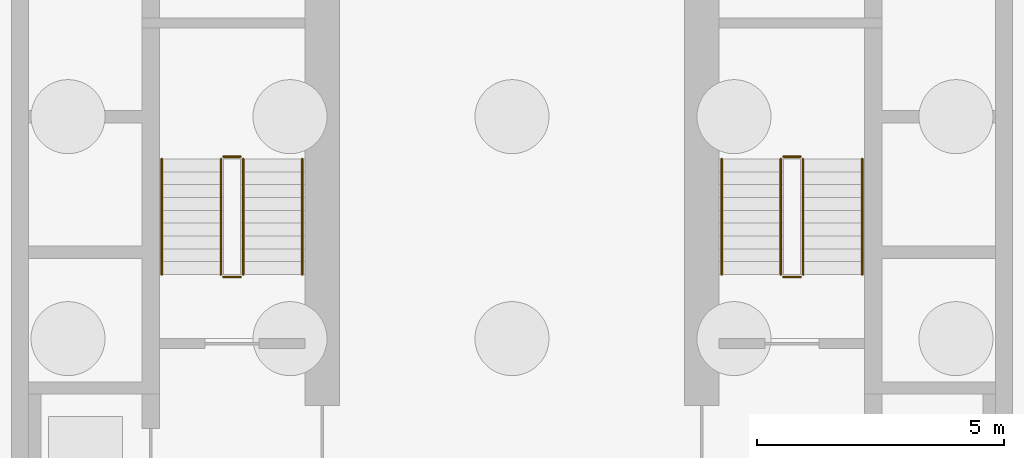
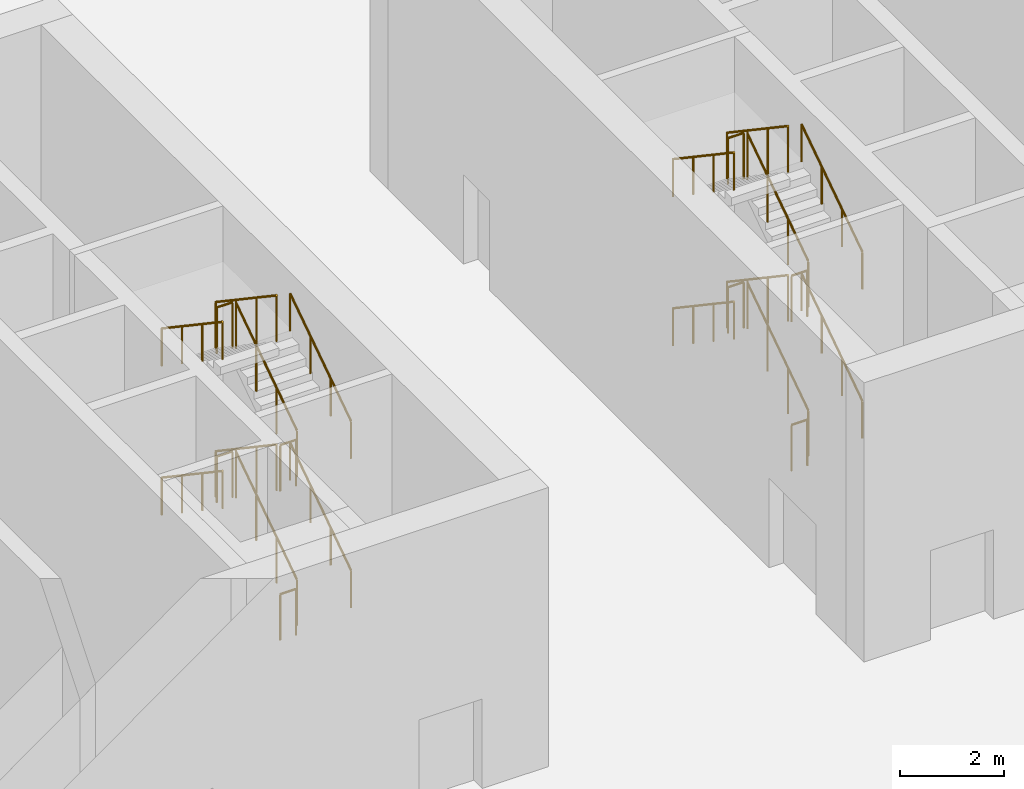
# One storey, part 12 of 13: 24 railings.
"""IFC4 building model written with IfcOpenShell, lengths in metres."""

from ifc_helpers import new_model, si_unit, direction, frame, origin, origin_2d, place, context, subcontext, project, spatial, circle, extrude, material, type_object, element, save


model = new_model("IFC4")

# Units and contexts
model_context = context("Model", 3, precision=1e-05, world=origin(), true_north=direction((0.0, 1.0)))
body_context = subcontext(model_context, "Body", "Model", "MODEL_VIEW")
ifc_project = project(units=[si_unit("LENGTHUNIT", "METRE"), si_unit("AREAUNIT", "SQUARE_METRE"), si_unit("VOLUMEUNIT", "CUBIC_METRE"), si_unit("PLANEANGLEUNIT", "RADIAN"), si_unit("MASSUNIT", "GRAM", prefix="KILO")], contexts=[model_context])

# Site, building, storey
site_placement = place(None, origin())
site = spatial("IfcSite", under=ifc_project, at=site_placement, CompositionType="ELEMENT")
building_placement = place(site_placement, origin())
building = spatial("IfcBuilding", under=site, at=building_placement, Name="Tamarind Cross Interchange Tower", CompositionType="ELEMENT")
storey_placement = place(building_placement, frame((0.0, 0.0, -21.0)))
storey = spatial("IfcBuildingStorey", under=building, at=storey_placement, Name="B3", CompositionType="ELEMENT", Elevation=-21.0)

# Railings
ifc_material_1 = material(Name="Stair guard")
railing_type_1 = type_object("IfcRailingType", Name="Stair guard", PredefinedType="GUARDRAIL", material=ifc_material_1)
railing_1_placement = place(storey_placement, frame((-5.449951171875, -3.199951171875, 0.175048828125)))
element("IfcRailing", 1, at=railing_1_placement, inside=storey, type_object=railing_type_1, Name="B3 ST1 stair guard 1", PredefinedType="GUARDRAIL", context=body_context, shape_type="SweptSolid", body=[
    extrude(circle(Radius=0.02392578125, at=origin_2d()), frame((0.0, 0.0, 1.076171875), z_axis=(0.0, 0.829578494604, 0.558390115681), x_axis=(-1.0, 0.0, 0.0)), (0.0, 0.0, 1.0), 2.820556640625),
    extrude(circle(Radius=0.02099609375, at=origin_2d()), origin(), (0.0, 0.0, 1.0), 1.052001953125),
    extrude(circle(Radius=0.02099609375, at=origin_2d()), frame((0.0, 0.780029296875, 0.52490234375)), (0.0, 0.0, 1.0), 1.052001953125),
    extrude(circle(Radius=0.02099609375, at=origin_2d()), frame((0.0, 1.559814453125, 1.050048828125)), (0.0, 0.0, 1.0), 1.052001953125),
    extrude(circle(Radius=0.02099609375, at=origin_2d()), frame((0.0, 2.33984375, 1.574951171875)), (0.0, 0.0, 1.0), 1.052001953125),
])
railing_2_placement = place(storey_placement, frame((-5.5, -0.81005859375, 1.75)))
element("IfcRailing", 2, at=railing_2_placement, inside=storey, type_object=railing_type_1, Name="B3 ST1 stair guard 2", PredefinedType="GUARDRAIL", context=body_context, shape_type="SweptSolid", body=[
    extrude(circle(Radius=0.02392578125, at=origin_2d()), frame((0.0, 0.0, 1.076171875), z_axis=(-1.0, 0.0, 0.0), x_axis=(0.0, -1.0, 0.0)), (0.0, 0.0, 1.0), 0.35009765625),
    extrude(circle(Radius=0.02099609375, at=origin_2d()), origin(), (0.0, 0.0, 1.0), 1.052001953125),
    extrude(circle(Radius=0.02099609375, at=origin_2d()), frame((-0.35009765625, 0.0, 0.0)), (0.0, 0.0, 1.0), 1.052001953125),
])
railing_3_placement = place(storey_placement, frame((-5.89990234375, -0.860107421875, 1.925048828125)))
element("IfcRailing", 3, at=railing_3_placement, inside=storey, type_object=railing_type_1, Name="B3 ST1 stair guard 3", PredefinedType="GUARDRAIL", context=body_context, shape_type="SweptSolid", body=[
    extrude(circle(Radius=0.02392578125, at=origin_2d()), frame((0.0, 0.0, 1.076171875), z_axis=(0.0, -0.829578494604, 0.558390115681), x_axis=(1.0, 0.0, 0.0)), (0.0, 0.0, 1.0), 2.820556640625),
    extrude(circle(Radius=0.02099609375, at=origin_2d()), origin(), (0.0, 0.0, 1.0), 1.052001953125),
    extrude(circle(Radius=0.02099609375, at=origin_2d()), frame((0.0, -0.780029296875, 0.52490234375)), (0.0, 0.0, 1.0), 1.052001953125),
    extrude(circle(Radius=0.02099609375, at=origin_2d()), frame((0.0, -1.559814453125, 1.050048828125)), (0.0, 0.0, 1.0), 1.052001953125),
    extrude(circle(Radius=0.02099609375, at=origin_2d()), frame((0.0, -2.33984375, 1.574951171875)), (0.0, 0.0, 1.0), 1.052001953125),
])
railing_4_placement = place(storey_placement, frame((-5.5, -3.25, 3.5)))
element("IfcRailing", 4, at=railing_4_placement, inside=storey, type_object=railing_type_1, Name="B3 ST1 stair guard 4", PredefinedType="GUARDRAIL", context=body_context, shape_type="SweptSolid", body=[
    extrude(circle(Radius=0.02392578125, at=origin_2d()), frame((0.0, 0.0, 1.076171875), z_axis=(-1.0, 0.0, 0.0), x_axis=(0.0, -1.0, 0.0)), (0.0, 0.0, 1.0), 0.35009765625),
    extrude(circle(Radius=0.02099609375, at=origin_2d()), origin(), (0.0, 0.0, 1.0), 1.052001953125),
    extrude(circle(Radius=0.02099609375, at=origin_2d()), frame((-0.35009765625, 0.0, 0.0)), (0.0, 0.0, 1.0), 1.052001953125),
])
railing_5_placement = place(storey_placement, frame((-5.449951171875, -3.199951171875, 3.675048828125)))
element("IfcRailing", 5, at=railing_5_placement, inside=storey, type_object=railing_type_1, Name="B3 ST1 stair guard 5", PredefinedType="GUARDRAIL", context=body_context, shape_type="SweptSolid", body=[
    extrude(circle(Radius=0.02392578125, at=origin_2d()), frame((0.0, 0.0, 1.076171875), z_axis=(0.0, 0.829578494604, 0.558390115681), x_axis=(-1.0, 0.0, 0.0)), (0.0, 0.0, 1.0), 2.820556640625),
    extrude(circle(Radius=0.02099609375, at=origin_2d()), origin(), (0.0, 0.0, 1.0), 1.052001953125),
    extrude(circle(Radius=0.02099609375, at=origin_2d()), frame((0.0, 0.780029296875, 0.52490234375)), (0.0, 0.0, 1.0), 1.052001953125),
    extrude(circle(Radius=0.02099609375, at=origin_2d()), frame((0.0, 1.559814453125, 1.050048828125)), (0.0, 0.0, 1.0), 1.052001953125),
    extrude(circle(Radius=0.02099609375, at=origin_2d()), frame((0.0, 2.33984375, 1.574951171875)), (0.0, 0.0, 1.0), 1.052001953125),
])
railing_6_placement = place(storey_placement, frame((-5.5, -0.81005859375, 5.25)))
element("IfcRailing", 6, at=railing_6_placement, inside=storey, type_object=railing_type_1, Name="B3 ST1 stair guard 6", PredefinedType="GUARDRAIL", context=body_context, shape_type="SweptSolid", body=[
    extrude(circle(Radius=0.02392578125, at=origin_2d()), frame((0.0, 0.0, 1.076171875), z_axis=(-1.0, 0.0, 0.0), x_axis=(0.0, -1.0, 0.0)), (0.0, 0.0, 1.0), 0.35009765625),
    extrude(circle(Radius=0.02099609375, at=origin_2d()), origin(), (0.0, 0.0, 1.0), 1.052001953125),
    extrude(circle(Radius=0.02099609375, at=origin_2d()), frame((-0.35009765625, 0.0, 0.0)), (0.0, 0.0, 1.0), 1.052001953125),
])
railing_7_placement = place(storey_placement, frame((-5.89990234375, -0.860107421875, 5.425048828125)))
element("IfcRailing", 7, at=railing_7_placement, inside=storey, type_object=railing_type_1, Name="B3 ST1 stair guard 7", PredefinedType="GUARDRAIL", context=body_context, shape_type="SweptSolid", body=[
    extrude(circle(Radius=0.02392578125, at=origin_2d()), frame((0.0, 0.0, 1.076171875), z_axis=(0.0, -0.829578494604, 0.558390115681), x_axis=(1.0, 0.0, 0.0)), (0.0, 0.0, 1.0), 2.820556640625),
    extrude(circle(Radius=0.02099609375, at=origin_2d()), origin(), (0.0, 0.0, 1.0), 1.052001953125),
    extrude(circle(Radius=0.02099609375, at=origin_2d()), frame((0.0, -0.780029296875, 0.52490234375)), (0.0, 0.0, 1.0), 1.052001953125),
    extrude(circle(Radius=0.02099609375, at=origin_2d()), frame((0.0, -1.559814453125, 1.050048828125)), (0.0, 0.0, 1.0), 1.052001953125),
    extrude(circle(Radius=0.02099609375, at=origin_2d()), frame((0.0, -2.33984375, 1.574951171875)), (0.0, 0.0, 1.0), 1.052001953125),
])
railing_8_placement = place(storey_placement, frame((-5.5, -3.25, 0.0)))
element("IfcRailing", 8, at=railing_8_placement, inside=storey, type_object=railing_type_1, Name="B3 ST1 stair guard 8", PredefinedType="GUARDRAIL", context=body_context, shape_type="SweptSolid", body=[
    extrude(circle(Radius=0.02392578125, at=origin_2d()), frame((0.0, 0.0, 1.076171875), z_axis=(-1.0, 0.0, 0.0), x_axis=(0.0, -1.0, 0.0)), (0.0, 0.0, 1.0), 0.35009765625),
    extrude(circle(Radius=0.02099609375, at=origin_2d()), origin(), (0.0, 0.0, 1.0), 1.052001953125),
    extrude(circle(Radius=0.02099609375, at=origin_2d()), frame((-0.35009765625, 0.0, 0.0)), (0.0, 0.0, 1.0), 1.052001953125),
])
railing_9_placement = place(storey_placement, frame((5.89990234375, -3.199951171875, 0.175048828125)))
element("IfcRailing", 9, at=railing_9_placement, inside=storey, type_object=railing_type_1, Name="B3 ST2 stair guard 1", PredefinedType="GUARDRAIL", context=body_context, shape_type="SweptSolid", body=[
    extrude(circle(Radius=0.02392578125, at=origin_2d()), frame((0.0, 0.0, 1.076171875), z_axis=(0.0, 0.829578494604, 0.558390115681), x_axis=(-1.0, 0.0, 0.0)), (0.0, 0.0, 1.0), 2.820556640625),
    extrude(circle(Radius=0.02099609375, at=origin_2d()), origin(), (0.0, 0.0, 1.0), 1.052001953125),
    extrude(circle(Radius=0.02099609375, at=origin_2d()), frame((0.0, 0.780029296875, 0.52490234375)), (0.0, 0.0, 1.0), 1.052001953125),
    extrude(circle(Radius=0.02099609375, at=origin_2d()), frame((0.0, 1.559814453125, 1.050048828125)), (0.0, 0.0, 1.0), 1.052001953125),
    extrude(circle(Radius=0.02099609375, at=origin_2d()), frame((0.0, 2.33984375, 1.574951171875)), (0.0, 0.0, 1.0), 1.052001953125),
])
railing_10_placement = place(storey_placement, frame((5.85009765625, -0.81005859375, 1.75)))
element("IfcRailing", 10, at=railing_10_placement, inside=storey, type_object=railing_type_1, Name="B3 ST2 stair guard 2", PredefinedType="GUARDRAIL", context=body_context, shape_type="SweptSolid", body=[
    extrude(circle(Radius=0.02392578125, at=origin_2d()), frame((0.0, 0.0, 1.076171875), z_axis=(-1.0, 0.0, 0.0), x_axis=(0.0, -1.0, 0.0)), (0.0, 0.0, 1.0), 0.35009765625),
    extrude(circle(Radius=0.02099609375, at=origin_2d()), origin(), (0.0, 0.0, 1.0), 1.052001953125),
    extrude(circle(Radius=0.02099609375, at=origin_2d()), frame((-0.35009765625, 0.0, 0.0)), (0.0, 0.0, 1.0), 1.052001953125),
])
railing_11_placement = place(storey_placement, frame((5.449951171875, -0.860107421875, 1.925048828125)))
element("IfcRailing", 11, at=railing_11_placement, inside=storey, type_object=railing_type_1, Name="B3 ST2 stair guard 3", PredefinedType="GUARDRAIL", context=body_context, shape_type="SweptSolid", body=[
    extrude(circle(Radius=0.02392578125, at=origin_2d()), frame((0.0, 0.0, 1.076171875), z_axis=(0.0, -0.829578494604, 0.558390115681), x_axis=(1.0, 0.0, 0.0)), (0.0, 0.0, 1.0), 2.820556640625),
    extrude(circle(Radius=0.02099609375, at=origin_2d()), origin(), (0.0, 0.0, 1.0), 1.052001953125),
    extrude(circle(Radius=0.02099609375, at=origin_2d()), frame((0.0, -0.780029296875, 0.52490234375)), (0.0, 0.0, 1.0), 1.052001953125),
    extrude(circle(Radius=0.02099609375, at=origin_2d()), frame((0.0, -1.559814453125, 1.050048828125)), (0.0, 0.0, 1.0), 1.052001953125),
    extrude(circle(Radius=0.02099609375, at=origin_2d()), frame((0.0, -2.33984375, 1.574951171875)), (0.0, 0.0, 1.0), 1.052001953125),
])
railing_12_placement = place(storey_placement, frame((5.85009765625, -3.25, 3.5)))
element("IfcRailing", 12, at=railing_12_placement, inside=storey, type_object=railing_type_1, Name="B3 ST2 stair guard 4", PredefinedType="GUARDRAIL", context=body_context, shape_type="SweptSolid", body=[
    extrude(circle(Radius=0.02392578125, at=origin_2d()), frame((0.0, 0.0, 1.076171875), z_axis=(-1.0, 0.0, 0.0), x_axis=(0.0, -1.0, 0.0)), (0.0, 0.0, 1.0), 0.35009765625),
    extrude(circle(Radius=0.02099609375, at=origin_2d()), origin(), (0.0, 0.0, 1.0), 1.052001953125),
    extrude(circle(Radius=0.02099609375, at=origin_2d()), frame((-0.35009765625, 0.0, 0.0)), (0.0, 0.0, 1.0), 1.052001953125),
])
railing_13_placement = place(storey_placement, frame((5.89990234375, -3.199951171875, 3.675048828125)))
element("IfcRailing", 13, at=railing_13_placement, inside=storey, type_object=railing_type_1, Name="B3 ST2 stair guard 5", PredefinedType="GUARDRAIL", context=body_context, shape_type="SweptSolid", body=[
    extrude(circle(Radius=0.02392578125, at=origin_2d()), frame((0.0, 0.0, 1.076171875), z_axis=(0.0, 0.829578494604, 0.558390115681), x_axis=(-1.0, 0.0, 0.0)), (0.0, 0.0, 1.0), 2.820556640625),
    extrude(circle(Radius=0.02099609375, at=origin_2d()), origin(), (0.0, 0.0, 1.0), 1.052001953125),
    extrude(circle(Radius=0.02099609375, at=origin_2d()), frame((0.0, 0.780029296875, 0.52490234375)), (0.0, 0.0, 1.0), 1.052001953125),
    extrude(circle(Radius=0.02099609375, at=origin_2d()), frame((0.0, 1.559814453125, 1.050048828125)), (0.0, 0.0, 1.0), 1.052001953125),
    extrude(circle(Radius=0.02099609375, at=origin_2d()), frame((0.0, 2.33984375, 1.574951171875)), (0.0, 0.0, 1.0), 1.052001953125),
])
railing_14_placement = place(storey_placement, frame((5.85009765625, -0.81005859375, 5.25)))
element("IfcRailing", 14, at=railing_14_placement, inside=storey, type_object=railing_type_1, Name="B3 ST2 stair guard 6", PredefinedType="GUARDRAIL", context=body_context, shape_type="SweptSolid", body=[
    extrude(circle(Radius=0.02392578125, at=origin_2d()), frame((0.0, 0.0, 1.076171875), z_axis=(-1.0, 0.0, 0.0), x_axis=(0.0, -1.0, 0.0)), (0.0, 0.0, 1.0), 0.35009765625),
    extrude(circle(Radius=0.02099609375, at=origin_2d()), origin(), (0.0, 0.0, 1.0), 1.052001953125),
    extrude(circle(Radius=0.02099609375, at=origin_2d()), frame((-0.35009765625, 0.0, 0.0)), (0.0, 0.0, 1.0), 1.052001953125),
])
railing_15_placement = place(storey_placement, frame((5.449951171875, -0.860107421875, 5.425048828125)))
element("IfcRailing", 15, at=railing_15_placement, inside=storey, type_object=railing_type_1, Name="B3 ST2 stair guard 7", PredefinedType="GUARDRAIL", context=body_context, shape_type="SweptSolid", body=[
    extrude(circle(Radius=0.02392578125, at=origin_2d()), frame((0.0, 0.0, 1.076171875), z_axis=(0.0, -0.829578494604, 0.558390115681), x_axis=(1.0, 0.0, 0.0)), (0.0, 0.0, 1.0), 2.820556640625),
    extrude(circle(Radius=0.02099609375, at=origin_2d()), origin(), (0.0, 0.0, 1.0), 1.052001953125),
    extrude(circle(Radius=0.02099609375, at=origin_2d()), frame((0.0, -0.780029296875, 0.52490234375)), (0.0, 0.0, 1.0), 1.052001953125),
    extrude(circle(Radius=0.02099609375, at=origin_2d()), frame((0.0, -1.559814453125, 1.050048828125)), (0.0, 0.0, 1.0), 1.052001953125),
    extrude(circle(Radius=0.02099609375, at=origin_2d()), frame((0.0, -2.33984375, 1.574951171875)), (0.0, 0.0, 1.0), 1.052001953125),
])
railing_16_placement = place(storey_placement, frame((5.85009765625, -3.25, 0.0)))
element("IfcRailing", 16, at=railing_16_placement, inside=storey, type_object=railing_type_1, Name="B3 ST2 stair guard 8", PredefinedType="GUARDRAIL", context=body_context, shape_type="SweptSolid", body=[
    extrude(circle(Radius=0.02392578125, at=origin_2d()), frame((0.0, 0.0, 1.076171875), z_axis=(-1.0, 0.0, 0.0), x_axis=(0.0, -1.0, 0.0)), (0.0, 0.0, 1.0), 0.35009765625),
    extrude(circle(Radius=0.02099609375, at=origin_2d()), origin(), (0.0, 0.0, 1.0), 1.052001953125),
    extrude(circle(Radius=0.02099609375, at=origin_2d()), frame((-0.35009765625, 0.0, 0.0)), (0.0, 0.0, 1.0), 1.052001953125),
])
ifc_material_2 = material(Name="Stair handrail")
railing_type_2 = type_object("IfcRailingType", Name="Stair handrail", PredefinedType="HANDRAIL", material=ifc_material_2)
railing_17_placement = place(storey_placement, frame((-4.25, -3.199951171875, 0.175048828125)))
element("IfcRailing", 17, at=railing_17_placement, inside=storey, type_object=railing_type_2, Name="B3 ST1 stair handrail 1", PredefinedType="HANDRAIL", context=body_context, shape_type="SweptSolid", body=[
    extrude(circle(Radius=0.02392578125, at=origin_2d()), frame((0.0, 0.0, 0.8759765625), z_axis=(0.0, 0.829578494604, 0.558390115681), x_axis=(-1.0, 0.0, 0.0)), (0.0, 0.0, 1.0), 2.820556640625),
    extrude(circle(Radius=0.02099609375, at=origin_2d()), origin(), (0.0, 0.0, 1.0), 0.851806640625),
    extrude(circle(Radius=0.02099609375, at=origin_2d()), frame((0.0, 0.780029296875, 0.52490234375)), (0.0, 0.0, 1.0), 0.851806640625),
    extrude(circle(Radius=0.02099609375, at=origin_2d()), frame((0.0, 1.559814453125, 1.050048828125)), (0.0, 0.0, 1.0), 0.851806640625),
    extrude(circle(Radius=0.02099609375, at=origin_2d()), frame((0.0, 2.33984375, 1.574951171875)), (0.0, 0.0, 1.0), 0.851806640625),
])
railing_18_placement = place(storey_placement, frame((-7.10009765625, -0.860107421875, 1.925048828125)))
element("IfcRailing", 18, at=railing_18_placement, inside=storey, type_object=railing_type_2, Name="B3 ST1 stair handrail 2", PredefinedType="HANDRAIL", context=body_context, shape_type="SweptSolid", body=[
    extrude(circle(Radius=0.02392578125, at=origin_2d()), frame((0.0, 0.0, 0.8759765625), z_axis=(0.0, -0.829578494604, 0.558390115681), x_axis=(1.0, 0.0, 0.0)), (0.0, 0.0, 1.0), 2.820556640625),
    extrude(circle(Radius=0.02099609375, at=origin_2d()), origin(), (0.0, 0.0, 1.0), 0.851806640625),
    extrude(circle(Radius=0.02099609375, at=origin_2d()), frame((0.0, -0.780029296875, 0.52490234375)), (0.0, 0.0, 1.0), 0.851806640625),
    extrude(circle(Radius=0.02099609375, at=origin_2d()), frame((0.0, -1.559814453125, 1.050048828125)), (0.0, 0.0, 1.0), 0.851806640625),
    extrude(circle(Radius=0.02099609375, at=origin_2d()), frame((0.0, -2.33984375, 1.574951171875)), (0.0, 0.0, 1.0), 0.851806640625),
])
railing_19_placement = place(storey_placement, frame((-4.25, -3.199951171875, 3.675048828125)))
element("IfcRailing", 19, at=railing_19_placement, inside=storey, type_object=railing_type_2, Name="B3 ST1 stair handrail 3", PredefinedType="HANDRAIL", context=body_context, shape_type="SweptSolid", body=[
    extrude(circle(Radius=0.02392578125, at=origin_2d()), frame((0.0, 0.0, 0.8759765625), z_axis=(0.0, 0.829578494604, 0.558390115681), x_axis=(-1.0, 0.0, 0.0)), (0.0, 0.0, 1.0), 2.820556640625),
    extrude(circle(Radius=0.02099609375, at=origin_2d()), origin(), (0.0, 0.0, 1.0), 0.851806640625),
    extrude(circle(Radius=0.02099609375, at=origin_2d()), frame((0.0, 0.780029296875, 0.52490234375)), (0.0, 0.0, 1.0), 0.851806640625),
    extrude(circle(Radius=0.02099609375, at=origin_2d()), frame((0.0, 1.559814453125, 1.050048828125)), (0.0, 0.0, 1.0), 0.851806640625),
    extrude(circle(Radius=0.02099609375, at=origin_2d()), frame((0.0, 2.33984375, 1.574951171875)), (0.0, 0.0, 1.0), 0.851806640625),
])
railing_20_placement = place(storey_placement, frame((-7.10009765625, -0.860107421875, 5.425048828125)))
element("IfcRailing", 20, at=railing_20_placement, inside=storey, type_object=railing_type_2, Name="B3 ST1 stair handrail 4", PredefinedType="HANDRAIL", context=body_context, shape_type="SweptSolid", body=[
    extrude(circle(Radius=0.02392578125, at=origin_2d()), frame((0.0, 0.0, 0.8759765625), z_axis=(0.0, -0.829578494604, 0.558390115681), x_axis=(1.0, 0.0, 0.0)), (0.0, 0.0, 1.0), 2.820556640625),
    extrude(circle(Radius=0.02099609375, at=origin_2d()), origin(), (0.0, 0.0, 1.0), 0.851806640625),
    extrude(circle(Radius=0.02099609375, at=origin_2d()), frame((0.0, -0.780029296875, 0.52490234375)), (0.0, 0.0, 1.0), 0.851806640625),
    extrude(circle(Radius=0.02099609375, at=origin_2d()), frame((0.0, -1.559814453125, 1.050048828125)), (0.0, 0.0, 1.0), 0.851806640625),
    extrude(circle(Radius=0.02099609375, at=origin_2d()), frame((0.0, -2.33984375, 1.574951171875)), (0.0, 0.0, 1.0), 0.851806640625),
])
railing_21_placement = place(storey_placement, frame((7.10009765625, -3.199951171875, 0.175048828125)))
element("IfcRailing", 21, at=railing_21_placement, inside=storey, type_object=railing_type_2, Name="B3 ST2 stair handrail 1", PredefinedType="HANDRAIL", context=body_context, shape_type="SweptSolid", body=[
    extrude(circle(Radius=0.02392578125, at=origin_2d()), frame((0.0, 0.0, 0.8759765625), z_axis=(0.0, 0.829578494604, 0.558390115681), x_axis=(-1.0, 0.0, 0.0)), (0.0, 0.0, 1.0), 2.820556640625),
    extrude(circle(Radius=0.02099609375, at=origin_2d()), origin(), (0.0, 0.0, 1.0), 0.851806640625),
    extrude(circle(Radius=0.02099609375, at=origin_2d()), frame((0.0, 0.780029296875, 0.52490234375)), (0.0, 0.0, 1.0), 0.851806640625),
    extrude(circle(Radius=0.02099609375, at=origin_2d()), frame((0.0, 1.559814453125, 1.050048828125)), (0.0, 0.0, 1.0), 0.851806640625),
    extrude(circle(Radius=0.02099609375, at=origin_2d()), frame((0.0, 2.33984375, 1.574951171875)), (0.0, 0.0, 1.0), 0.851806640625),
])
railing_22_placement = place(storey_placement, frame((4.25, -0.860107421875, 1.925048828125)))
element("IfcRailing", 22, at=railing_22_placement, inside=storey, type_object=railing_type_2, Name="B3 ST2 stair handrail 2", PredefinedType="HANDRAIL", context=body_context, shape_type="SweptSolid", body=[
    extrude(circle(Radius=0.02392578125, at=origin_2d()), frame((0.0, 0.0, 0.8759765625), z_axis=(0.0, -0.829578494604, 0.558390115681), x_axis=(1.0, 0.0, 0.0)), (0.0, 0.0, 1.0), 2.820556640625),
    extrude(circle(Radius=0.02099609375, at=origin_2d()), origin(), (0.0, 0.0, 1.0), 0.851806640625),
    extrude(circle(Radius=0.02099609375, at=origin_2d()), frame((0.0, -0.780029296875, 0.52490234375)), (0.0, 0.0, 1.0), 0.851806640625),
    extrude(circle(Radius=0.02099609375, at=origin_2d()), frame((0.0, -1.559814453125, 1.050048828125)), (0.0, 0.0, 1.0), 0.851806640625),
    extrude(circle(Radius=0.02099609375, at=origin_2d()), frame((0.0, -2.33984375, 1.574951171875)), (0.0, 0.0, 1.0), 0.851806640625),
])
railing_23_placement = place(storey_placement, frame((7.10009765625, -3.199951171875, 3.675048828125)))
element("IfcRailing", 23, at=railing_23_placement, inside=storey, type_object=railing_type_2, Name="B3 ST2 stair handrail 3", PredefinedType="HANDRAIL", context=body_context, shape_type="SweptSolid", body=[
    extrude(circle(Radius=0.02392578125, at=origin_2d()), frame((0.0, 0.0, 0.8759765625), z_axis=(0.0, 0.829578494604, 0.558390115681), x_axis=(-1.0, 0.0, 0.0)), (0.0, 0.0, 1.0), 2.820556640625),
    extrude(circle(Radius=0.02099609375, at=origin_2d()), origin(), (0.0, 0.0, 1.0), 0.851806640625),
    extrude(circle(Radius=0.02099609375, at=origin_2d()), frame((0.0, 0.780029296875, 0.52490234375)), (0.0, 0.0, 1.0), 0.851806640625),
    extrude(circle(Radius=0.02099609375, at=origin_2d()), frame((0.0, 1.559814453125, 1.050048828125)), (0.0, 0.0, 1.0), 0.851806640625),
    extrude(circle(Radius=0.02099609375, at=origin_2d()), frame((0.0, 2.33984375, 1.574951171875)), (0.0, 0.0, 1.0), 0.851806640625),
])
railing_24_placement = place(storey_placement, frame((4.25, -0.860107421875, 5.425048828125)))
element("IfcRailing", 24, at=railing_24_placement, inside=storey, type_object=railing_type_2, Name="B3 ST2 stair handrail 4", PredefinedType="HANDRAIL", context=body_context, shape_type="SweptSolid", body=[
    extrude(circle(Radius=0.02392578125, at=origin_2d()), frame((0.0, 0.0, 0.8759765625), z_axis=(0.0, -0.829578494604, 0.558390115681), x_axis=(1.0, 0.0, 0.0)), (0.0, 0.0, 1.0), 2.820556640625),
    extrude(circle(Radius=0.02099609375, at=origin_2d()), origin(), (0.0, 0.0, 1.0), 0.851806640625),
    extrude(circle(Radius=0.02099609375, at=origin_2d()), frame((0.0, -0.780029296875, 0.52490234375)), (0.0, 0.0, 1.0), 0.851806640625),
    extrude(circle(Radius=0.02099609375, at=origin_2d()), frame((0.0, -1.559814453125, 1.050048828125)), (0.0, 0.0, 1.0), 0.851806640625),
    extrude(circle(Radius=0.02099609375, at=origin_2d()), frame((0.0, -2.33984375, 1.574951171875)), (0.0, 0.0, 1.0), 0.851806640625),
])

save(model, "model.ifc")
